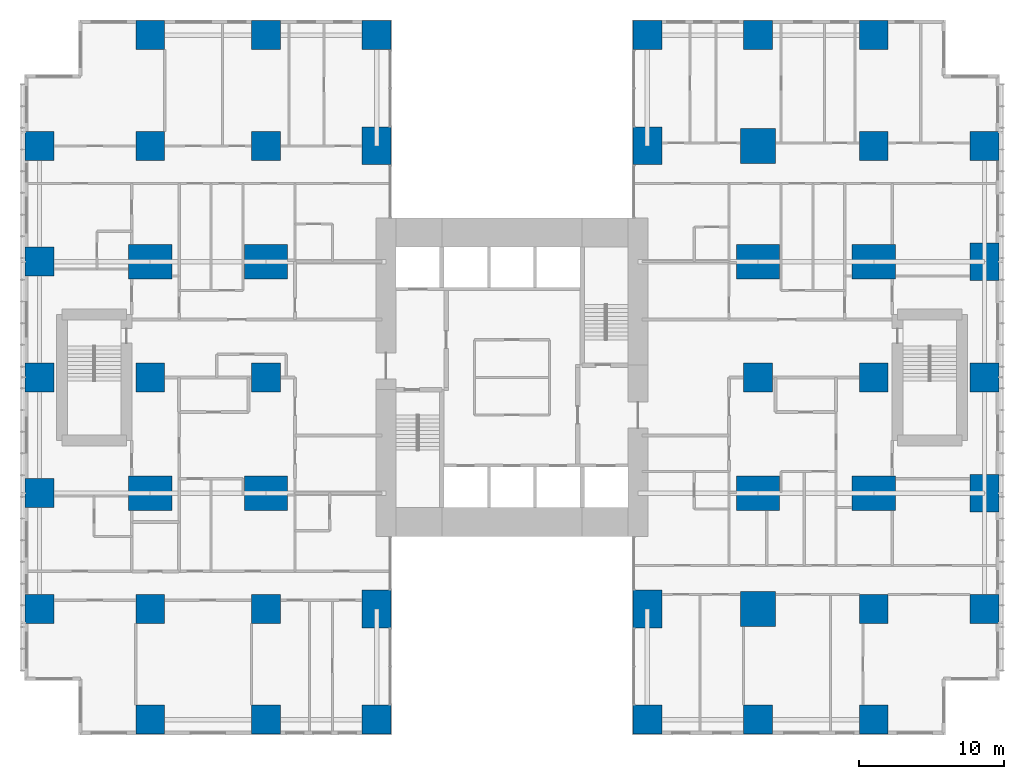
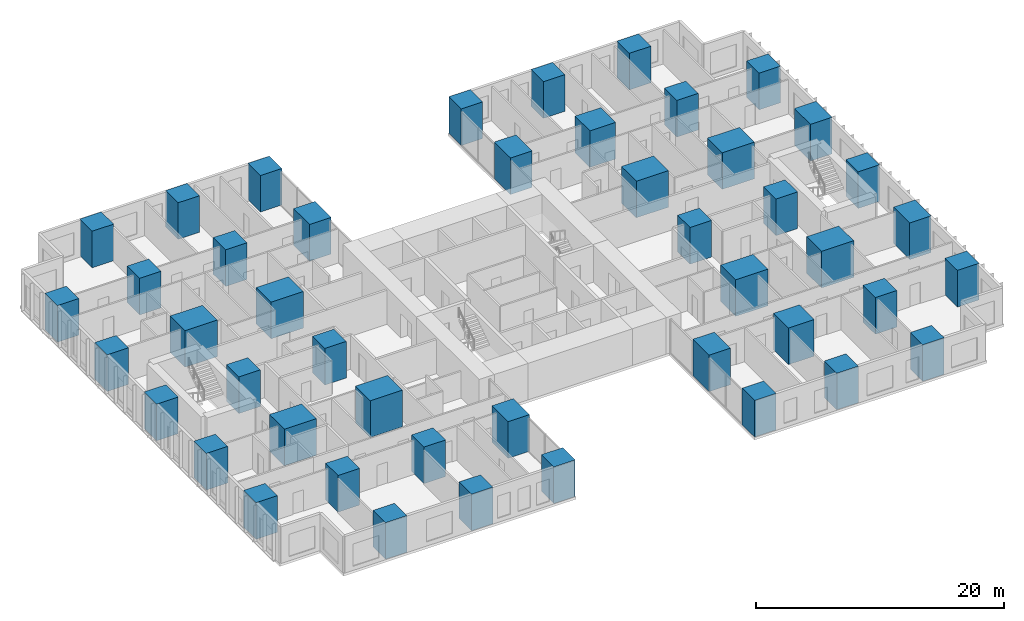
# One storey, part 1 of 20: 46 columns.
"""IFC4 building model written with IfcOpenShell, lengths in metres."""

from ifc_helpers import new_model, si_unit, direction, frame, origin, origin_2d, place, context, subcontext, project, spatial, rectangle, extrude, material, material_profile, profile_set, type_object, element, save


model = new_model("IFC4")

# Units and contexts
model_context = context("Model", 3, precision=1e-05, world=origin(), true_north=direction((0.0, 1.0)))
body_context = subcontext(model_context, "Body", "Model", "MODEL_VIEW")
ifc_project = project(units=[si_unit("LENGTHUNIT", "METRE"), si_unit("AREAUNIT", "SQUARE_METRE"), si_unit("VOLUMEUNIT", "CUBIC_METRE"), si_unit("PLANEANGLEUNIT", "RADIAN"), si_unit("MASSUNIT", "GRAM", prefix="KILO")], contexts=[model_context])

# Site, building, storey
site_placement = place(None, origin())
site = spatial("IfcSite", under=ifc_project, at=site_placement, CompositionType="ELEMENT")
building_placement = place(site_placement, origin())
building = spatial("IfcBuilding", under=site, at=building_placement, Name="Cleftline Residences", CompositionType="ELEMENT")
storey_placement = place(building_placement, frame((0.0, 0.0, 157.39990234375)))
storey = spatial("IfcBuildingStorey", under=building, at=storey_placement, Name="L41", CompositionType="ELEMENT", Elevation=157.39990234375)

# Columns
ifc_material_1 = material(Name="Concrete B70", Category="concrete")
ifc_material_profile_1 = material_profile(ifc_material_1, rectangle(XDim=2.0, YDim=2.0, at=origin_2d()))
ifc_profile_set_1 = profile_set([ifc_material_profile_1], Name="Concrete B70")
column_type_1 = type_object("IfcColumnType", Name="COLUMN RC2000X2000", PredefinedType="COLUMN", material=ifc_profile_set_1)
for number, where, z_axis, x_axis, name in (
    (1, (0.35009765625, 8.0, 0.0), (0.0, 0.0, 1.0), (1.0, 0.0, 0.0), "Column D/3"),
    (2, (0.35009765625, 16.0, 0.0), (0.0, 0.0, 1.0), (1.0, 0.0, 0.0), "Column E/3"),
    (3, (0.35009765625, 24.0, 0.0), (0.0, 0.0, 1.0), (1.0, 0.0, 0.0), "Column F/3"),
    (4, (0.35009765625, 32.0, 0.0), (0.0, 0.0, 1.0), (1.0, 0.0, 0.0), "Column G/3"),
    (5, (0.35009765625, 40.0, 0.0), (0.0, 0.0, 1.0), (1.0, 0.0, 0.0), "Column H/3"),
    (6, (8.0, 0.35009765625, 0.0), (0.0, 0.0, 1.0), (1.0, 0.0, 0.0), "Column C/4"),
    (7, (8.0, 8.0, 0.0), (0.0, 0.0, 1.0), (1.0, 0.0, 0.0), "Column D/4"),
    (8, (8.0, 24.0, 0.0), (0.0, 0.0, 1.0), (1.0, 0.0, 0.0), "Column F/4"),
    (9, (8.0, 40.0, 0.0), (0.0, 0.0, 1.0), (1.0, 0.0, 0.0), "Column H/4"),
    (10, (8.0, 47.64990234375, 0.0), (0.0, 0.0, 1.0), (1.0, 0.0, 0.0), "Column J/4"),
    (11, (16.0, 0.35009765625, 0.0), (0.0, 0.0, 1.0), (1.0, 0.0, 0.0), "Column C/5"),
    (12, (16.0, 8.0, 0.0), (0.0, 0.0, 1.0), (1.0, 0.0, 0.0), "Column D/5"),
    (13, (16.0, 24.0, 0.0), (0.0, 0.0, 1.0), (1.0, 0.0, 0.0), "Column F/5"),
    (14, (16.0, 40.0, 0.0), (0.0, 0.0, 1.0), (1.0, 0.0, 0.0), "Column H/5"),
    (15, (16.0, 47.64990234375, 0.0), (0.0, 0.0, 1.0), (1.0, 0.0, 0.0), "Column J/5"),
    (16, (23.64990234375, 0.35009765625, 0.0), (0.0, 0.0, 1.0), (1.0, 0.0, 0.0), "Column C/6"),
    (17, (23.64990234375, 47.64990234375, 0.0), (0.0, 0.0, 1.0), (1.0, 0.0, 0.0), "Column J/6"),
    (18, (42.35009765625, 0.35009765625, 0.0), (0.0, 0.0, 1.0), (1.0, 0.0, 0.0), "Column C/8"),
    (19, (42.35009765625, 47.64990234375, 0.0), (0.0, 0.0, 1.0), (1.0, 0.0, 0.0), "Column J/8"),
    (20, (50.0, 0.35009765625, 0.0), (0.0, 0.0, 1.0), (1.0, 0.0, 0.0), "Column C/9"),
    (21, (50.0, 24.0, 0.0), (0.0, 0.0, 1.0), (1.0, 0.0, 0.0), "Column F/9"),
    (22, (50.0, 47.64990234375, 0.0), (0.0, 0.0, 1.0), (1.0, 0.0, 0.0), "Column J/9"),
    (23, (58.0, 0.35009765625, 0.0), (0.0, 0.0, 1.0), (1.0, 0.0, 0.0), "Column C/10"),
    (24, (58.0, 8.0, 0.0), (0.0, 0.0, 1.0), (1.0, 0.0, 0.0), "Column D/10"),
    (25, (58.0, 24.0, 0.0), (0.0, 0.0, 1.0), (1.0, 0.0, 0.0), "Column F/10"),
    (26, (58.0, 40.0, 0.0), (0.0, 0.0, 1.0), (1.0, 0.0, 0.0), "Column H/10"),
    (27, (58.0, 47.64990234375, 0.0), (0.0, 0.0, 1.0), (1.0, 0.0, 0.0), "Column J/10"),
    (28, (65.64990234375, 8.0, 0.0), (0.0, 0.0, 1.0), (1.0, 0.0, 0.0), "Column D/11"),
    (29, (65.64990234375, 24.0, 0.0), (0.0, 0.0, 1.0), (1.0, 0.0, 0.0), "Column F/11"),
    (30, (65.64990234375, 40.0, 0.0), (0.0, 0.0, 1.0), (1.0, 0.0, 0.0), "Column H/11"),
):
    element("IfcColumn", number, at=place(storey_placement, frame(where, z_axis=z_axis, x_axis=x_axis)), inside=storey, type_object=column_type_1, Name=name, PredefinedType="COLUMN", context=body_context, shape_type="SweptSolid", body=[
        extrude(rectangle(XDim=2.0, YDim=2.0, at=origin_2d()), origin(), (0.0, 0.0, 1.0), 3.60009765625),
    ])
ifc_material_2 = material(Name="Concrete B70", Category="concrete")
ifc_material_profile_2 = material_profile(ifc_material_2, rectangle(XDim=2.0, YDim=2.60009765625, at=origin_2d()))
ifc_profile_set_2 = profile_set([ifc_material_profile_2], Name="Concrete B70")
column_type_2 = type_object("IfcColumnType", Name="COLUMN RC2000X2600", PredefinedType="COLUMN", material=ifc_profile_set_2)
for number, where, z_axis, x_axis, name in (
    (31, (23.64990234375, 8.0, 0.0), (0.0, 0.0, 1.0), (1.0, 0.0, 0.0), "Column D/6"),
    (32, (23.64990234375, 40.0, 0.0), (0.0, 0.0, 1.0), (1.0, 0.0, 0.0), "Column H/6"),
    (33, (42.35009765625, 8.0, 0.0), (0.0, 0.0, 1.0), (1.0, 0.0, 0.0), "Column D/8"),
    (34, (42.35009765625, 40.0, 0.0), (0.0, 0.0, 1.0), (1.0, 0.0, 0.0), "Column H/8"),
):
    element("IfcColumn", number, at=place(storey_placement, frame(where, z_axis=z_axis, x_axis=x_axis)), inside=storey, type_object=column_type_2, Name=name, PredefinedType="COLUMN", context=body_context, shape_type="SweptSolid", body=[
        extrude(rectangle(XDim=2.0, YDim=2.60009765625, at=origin_2d()), origin(), (0.0, 0.0, 1.0), 3.60009765625),
    ])
ifc_material_3 = material(Name="Concrete B70", Category="concrete")
ifc_material_profile_3 = material_profile(ifc_material_3, rectangle(XDim=2.39990234375, YDim=2.39990234375, at=origin_2d()))
ifc_profile_set_3 = profile_set([ifc_material_profile_3], Name="Concrete B70")
column_type_3 = type_object("IfcColumnType", Name="COLUMN RC2400X2400", PredefinedType="COLUMN", material=ifc_profile_set_3)
for number, where, z_axis, x_axis, name in (
    (35, (50.0, 8.0, 0.0), (0.0, 0.0, 1.0), (1.0, 0.0, 0.0), "Column D/9"),
    (36, (50.0, 40.0, 0.0), (0.0, 0.0, 1.0), (1.0, 0.0, 0.0), "Column H/9"),
):
    element("IfcColumn", number, at=place(storey_placement, frame(where, z_axis=z_axis, x_axis=x_axis)), inside=storey, type_object=column_type_3, Name=name, PredefinedType="COLUMN", context=body_context, shape_type="SweptSolid", body=[
        extrude(rectangle(XDim=2.39990234375, YDim=2.39990234375, at=origin_2d()), origin(), (0.0, 0.0, 1.0), 3.60009765625),
    ])
ifc_material_4 = material(Name="Concrete B70", Category="concrete")
ifc_material_profile_4 = material_profile(ifc_material_4, rectangle(XDim=2.60009765625, YDim=2.0, at=origin_2d()))
ifc_profile_set_4 = profile_set([ifc_material_profile_4], Name="Concrete B70")
column_type_4 = type_object("IfcColumnType", Name="COLUMN RC2600X2000", PredefinedType="COLUMN", material=ifc_profile_set_4)
for number, where, z_axis, x_axis, name in (
    (37, (65.64990234375, 16.0, 0.0), (0.0, 0.0, 1.0), (0.0, 1.0, 0.0), "Column E/11"),
    (38, (65.64990234375, 32.0, 0.0), (0.0, 0.0, 1.0), (0.0, 1.0, 0.0), "Column G/11"),
):
    element("IfcColumn", number, at=place(storey_placement, frame(where, z_axis=z_axis, x_axis=x_axis)), inside=storey, type_object=column_type_4, Name=name, PredefinedType="COLUMN", context=body_context, shape_type="SweptSolid", body=[
        extrude(rectangle(XDim=2.60009765625, YDim=2.0, at=origin_2d()), origin(), (0.0, 0.0, 1.0), 3.60009765625),
    ])
ifc_material_5 = material(Name="Concrete B70", Category="concrete")
ifc_material_profile_5 = material_profile(ifc_material_5, rectangle(XDim=3.0, YDim=2.39990234375, at=origin_2d()))
ifc_profile_set_5 = profile_set([ifc_material_profile_5], Name="Concrete B70")
column_type_5 = type_object("IfcColumnType", Name="COLUMN RC3000X2400", PredefinedType="COLUMN", material=ifc_profile_set_5)
for number, where, z_axis, x_axis, name in (
    (39, (8.0, 16.0, 0.0), (0.0, 0.0, 1.0), (1.0, 0.0, 0.0), "Column E/4"),
    (40, (8.0, 32.0, 0.0), (0.0, 0.0, 1.0), (1.0, 0.0, 0.0), "Column G/4"),
    (41, (16.0, 16.0, 0.0), (0.0, 0.0, 1.0), (1.0, 0.0, 0.0), "Column E/5"),
    (42, (16.0, 32.0, 0.0), (0.0, 0.0, 1.0), (1.0, 0.0, 0.0), "Column G/5"),
    (43, (50.0, 16.0, 0.0), (0.0, 0.0, 1.0), (1.0, 0.0, 0.0), "Column E/9"),
    (44, (50.0, 32.0, 0.0), (0.0, 0.0, 1.0), (1.0, 0.0, 0.0), "Column G/9"),
    (45, (58.0, 16.0, 0.0), (0.0, 0.0, 1.0), (1.0, 0.0, 0.0), "Column E/10"),
    (46, (58.0, 32.0, 0.0), (0.0, 0.0, 1.0), (1.0, 0.0, 0.0), "Column G/10"),
):
    element("IfcColumn", number, at=place(storey_placement, frame(where, z_axis=z_axis, x_axis=x_axis)), inside=storey, type_object=column_type_5, Name=name, PredefinedType="COLUMN", context=body_context, shape_type="SweptSolid", body=[
        extrude(rectangle(XDim=3.0, YDim=2.39990234375, at=origin_2d()), origin(), (0.0, 0.0, 1.0), 3.60009765625),
    ])

save(model, "model.ifc")
